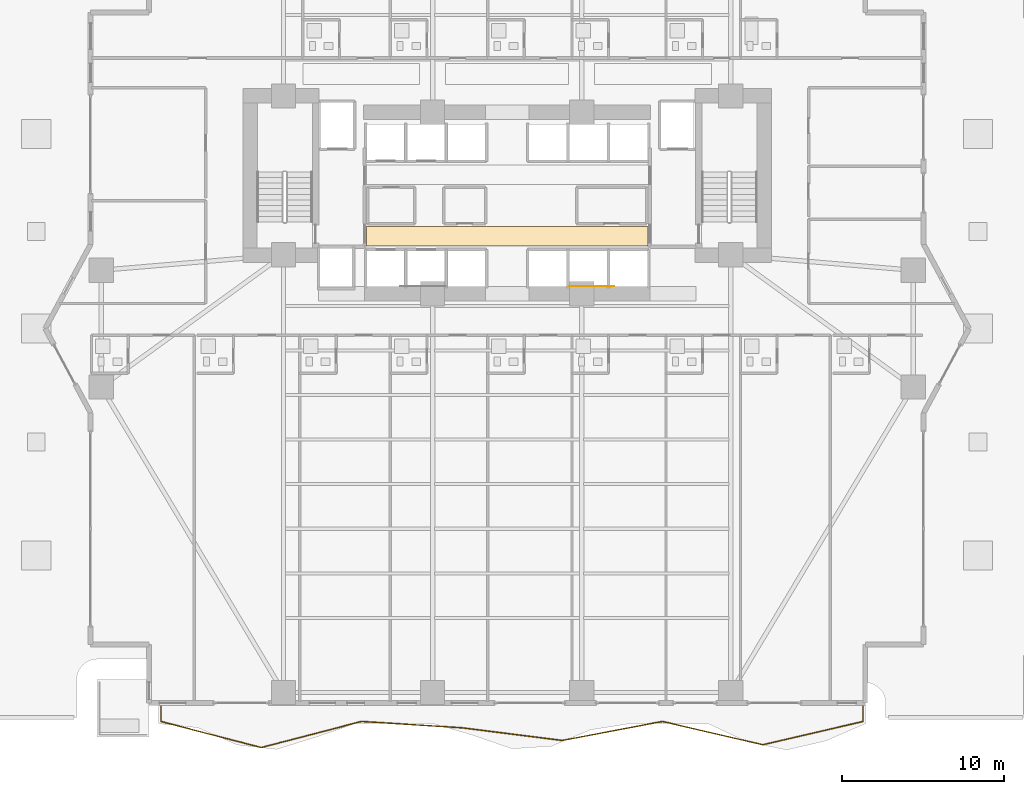
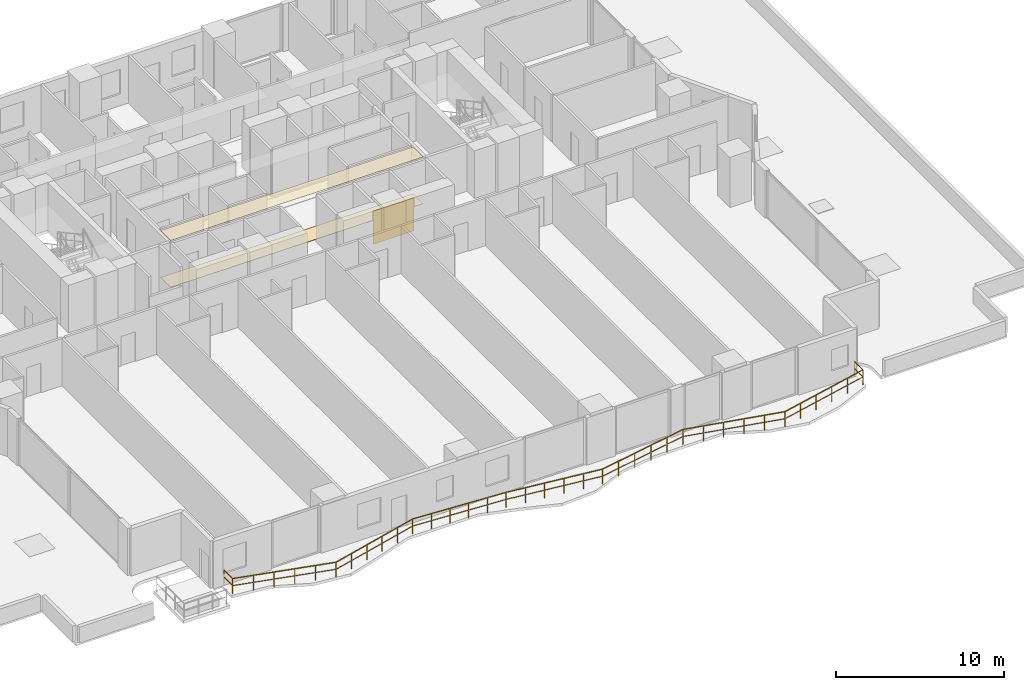
# One storey, part 27 of 30: 3 coverings, 1 railing.
"""IFC4 building model written with IfcOpenShell, lengths in metres."""

from ifc_helpers import new_model, si_unit, direction, frame, origin, origin_2d, place, context, subcontext, project, spatial, polyline, rectangle, outline, extrude, material, layer, layer_set, type_object, element, save


model = new_model("IFC4")

# Units and contexts
model_context = context("Model", 3, precision=1e-05, world=origin(), true_north=direction((0.0, 1.0)))
body_context = subcontext(model_context, "Body", "Model", "MODEL_VIEW")
ifc_project = project(units=[si_unit("LENGTHUNIT", "METRE"), si_unit("AREAUNIT", "SQUARE_METRE"), si_unit("VOLUMEUNIT", "CUBIC_METRE"), si_unit("PLANEANGLEUNIT", "RADIAN"), si_unit("MASSUNIT", "GRAM", prefix="KILO")], contexts=[model_context])

# Site, building, storey
site_placement = place(None, origin())
site = spatial("IfcSite", under=ifc_project, at=site_placement, CompositionType="ELEMENT")
building_placement = place(site_placement, origin())
building = spatial("IfcBuilding", under=site, at=building_placement, Name="Zuhayl Quay Hotel", CompositionType="ELEMENT")
storey_placement = place(building_placement, frame((0.0, 0.0, 27.60009765625)))
storey = spatial("IfcBuildingStorey", under=building, at=storey_placement, Name="L05", CompositionType="ELEMENT", Elevation=27.60009765625)

# Coverings
ifc_material_1 = material(Name="Acoustic Mineral-Fibre Gypsum Board")
ifc_layer_1 = layer(ifc_material_1, 0.02490234375, Name="Acoustic Mineral-Fibre Gypsum Board")
ifc_layer_set_1 = layer_set([ifc_layer_1], Name="Acoustic Mineral-Fibre Gypsum Board")
covering_type_1 = type_object("IfcCoveringType", Name="CV_CEIL_ACOUSTIC", PredefinedType="CEILING", material=ifc_layer_set_1)
covering_1_placement = place(storey_placement, frame((0.0, 0.0, 3.40478515625)))
element("IfcCovering", 1, at=covering_1_placement, inside=storey, type_object=covering_type_1, Name="L05 Suspended Acoustic Lobby Ceiling S", PredefinedType="CEILING", context=body_context, shape_type="SweptSolid", body=[
    extrude(outline(polyline([(-8.679931640625, 5.10009765625), (8.679931640625, 5.10009765625), (8.679931640625, 6.300048828125), (-8.679931640625, 6.300048828125), (-8.679931640625, 5.10009765625)])), origin(), (0.0, 0.0, 1.0), 0.025146484375),
])
ifc_material_2 = material(Name="Polished Limestone Terrazzo", Category="masonry")
ifc_layer_2 = layer(ifc_material_2, 0.02001953125, Name="Polished Limestone Terrazzo", Category="masonry")
ifc_layer_set_2 = layer_set([ifc_layer_2], Name="Polished Limestone Terrazzo")
covering_type_2 = type_object("IfcCoveringType", Name="CV_FLOOR_TERRAZZO", PredefinedType="FLOORING", material=ifc_layer_set_2)
covering_2_placement = place(storey_placement, origin())
element("IfcCovering", 2, at=covering_2_placement, inside=storey, type_object=covering_type_2, Name="L05 Honed Limestone Terrazzo Lobby Flooring S", PredefinedType="FLOORING", context=body_context, shape_type="SweptSolid", body=[
    extrude(outline(polyline([(-8.679931640625, 5.10009765625), (8.679931640625, 5.10009765625), (8.679931640625, 6.300048828125), (-8.679931640625, 6.300048828125), (-8.679931640625, 5.10009765625)])), origin(), (0.0, 0.0, 1.0), 0.02001953125),
])
ifc_material_3 = material(Name="Acoustic Walnut Feature Timber", Category="wood")
ifc_layer_3 = layer(ifc_material_3, 0.02197265625, Name="Acoustic Walnut Feature Timber", Category="wood")
ifc_layer_set_3 = layer_set([ifc_layer_3], Name="Acoustic Walnut Feature Timber")
covering_type_3 = type_object("IfcCoveringType", Name="CV_WALL_CLAD", PredefinedType="CLADDING", material=ifc_layer_set_3)
covering_3_placement = place(storey_placement, frame((5.199951171875, 2.611083984375, 0.300048828125), z_axis=(0.0, 0.0, 1.0), x_axis=(1.0, 0.0, 0.0)))
element("IfcCovering", 3, at=covering_3_placement, inside=storey, type_object=covering_type_3, Name="L05 Feature Lobby Walnut Wall Cladding E", PredefinedType="CLADDING", context=body_context, shape_type="SweptSolid", body=[
    extrude(rectangle(XDim=2.800048828125, YDim=0.02197265625, at=origin_2d()), origin(), (0.0, 0.0, 1.0), 2.39990234375),
])

# Railing
ifc_material_4 = material(Name="Anodised Aluminium and Laminated Glass", Category="aluminium")
railing_type = type_object("IfcRailingType", Name="RL_EXT_BAL_1100", PredefinedType="BALUSTRADE", material=ifc_material_4)
railing_placement = place(storey_placement, frame((-21.360107421875, -23.219970703125, 0.0)))
element("IfcRailing", 4, at=railing_placement, inside=storey, type_object=railing_type, Name="L05 Balcony and Terrace Guard GR_L05_BAL_S", PredefinedType="BALUSTRADE", context=body_context, shape_type="SweptSolid", body=[
    extrude(rectangle(XDim=0.048095703125, YDim=0.048095703125, at=origin_2d()), frame((0.0, 0.0, 1.09619140625), z_axis=(0.0, -1.0, 0.0), x_axis=(1.0, 0.0, 0.0)), (0.0, 0.0, 1.0), 1.02001953125),
    extrude(rectangle(XDim=0.0361328125, YDim=0.0361328125, at=origin_2d()), frame((0.0, 0.0, 0.58251953125), z_axis=(0.0, -1.0, 0.0), x_axis=(1.0, 0.0, 0.0)), (0.0, 0.0, 1.0), 1.02001953125),
    extrude(rectangle(XDim=0.048095703125, YDim=0.048095703125, at=origin_2d()), frame((0.0, -1.02001953125, 1.09619140625), z_axis=(0.967820089213, -0.251643149947, 0.0), x_axis=(0.251643149947, 0.967820089213, 0.0)), (0.0, 0.0, 1.0), 6.39453125),
    extrude(rectangle(XDim=0.0361328125, YDim=0.0361328125, at=origin_2d()), frame((0.0, -1.02001953125, 0.58251953125), z_axis=(0.967820089213, -0.251643149947, 0.0), x_axis=(0.251643149947, 0.967820089213, 0.0)), (0.0, 0.0, 1.0), 6.39453125),
    extrude(rectangle(XDim=0.048095703125, YDim=0.048095703125, at=origin_2d()), frame((6.188720703125, -2.629150390625, 1.09619140625), z_axis=(0.96781767137, 0.251652448793, 0.0), x_axis=(-0.251652448793, 0.96781767137, 0.0)), (0.0, 0.0, 1.0), 6.394287109375),
    extrude(rectangle(XDim=0.0361328125, YDim=0.0361328125, at=origin_2d()), frame((6.188720703125, -2.629150390625, 0.58251953125), z_axis=(0.96781767137, 0.251652448793, 0.0), x_axis=(-0.251652448793, 0.96781767137, 0.0)), (0.0, 0.0, 1.0), 6.394287109375),
    extrude(rectangle(XDim=0.048095703125, YDim=0.048095703125, at=origin_2d()), frame((12.377197265625, -1.02001953125, 1.09619140625), z_axis=(0.998028760698, -0.062758209182, 0.0), x_axis=(0.062758209182, 0.998028760698, 0.0)), (0.0, 0.0, 1.0), 6.200927734375),
    extrude(rectangle(XDim=0.0361328125, YDim=0.0361328125, at=origin_2d()), frame((12.377197265625, -1.02001953125, 0.58251953125), z_axis=(0.998028760698, -0.062758209182, 0.0), x_axis=(0.062758209182, 0.998028760698, 0.0)), (0.0, 0.0, 1.0), 6.200927734375),
    extrude(rectangle(XDim=0.048095703125, YDim=0.048095703125, at=origin_2d()), frame((18.56591796875, -1.4091796875, 1.09619140625), z_axis=(0.99210105431, -0.125441213471, 0.0), x_axis=(0.125441213471, 0.99210105431, 0.0)), (0.0, 0.0, 1.0), 6.23779296875),
    extrude(rectangle(XDim=0.0361328125, YDim=0.0361328125, at=origin_2d()), frame((18.56591796875, -1.4091796875, 0.58251953125), z_axis=(0.99210105431, -0.125441213471, 0.0), x_axis=(0.125441213471, 0.99210105431, 0.0)), (0.0, 0.0, 1.0), 6.23779296875),
    extrude(rectangle(XDim=0.048095703125, YDim=0.048095703125, at=origin_2d()), frame((24.75439453125, -2.191650390625, 1.09619140625), z_axis=(0.982547276943, 0.186013033337, 0.0), x_axis=(-0.186013033337, 0.982547276943, 0.0)), (0.0, 0.0, 1.0), 6.298583984375),
    extrude(rectangle(XDim=0.0361328125, YDim=0.0361328125, at=origin_2d()), frame((24.75439453125, -2.191650390625, 0.58251953125), z_axis=(0.982547276943, 0.186013033337, 0.0), x_axis=(-0.186013033337, 0.982547276943, 0.0)), (0.0, 0.0, 1.0), 6.298583984375),
    extrude(rectangle(XDim=0.048095703125, YDim=0.048095703125, at=origin_2d()), frame((30.943115234375, -1.02001953125, 1.09619140625), z_axis=(0.974083292085, -0.226189610905, 0.0), x_axis=(0.226189610905, 0.974083292085, 0.0)), (0.0, 0.0, 1.0), 6.35302734375),
    extrude(rectangle(XDim=0.0361328125, YDim=0.0361328125, at=origin_2d()), frame((30.943115234375, -1.02001953125, 0.58251953125), z_axis=(0.974083292085, -0.226189610905, 0.0), x_axis=(0.226189610905, 0.974083292085, 0.0)), (0.0, 0.0, 1.0), 6.35302734375),
    extrude(rectangle(XDim=0.048095703125, YDim=0.048095703125, at=origin_2d()), frame((37.131591796875, -2.45703125, 1.09619140625), z_axis=(0.974083292085, 0.226189610905, 0.0), x_axis=(-0.226189610905, 0.974083292085, 0.0)), (0.0, 0.0, 1.0), 6.35302734375),
    extrude(rectangle(XDim=0.0361328125, YDim=0.0361328125, at=origin_2d()), frame((37.131591796875, -2.45703125, 0.58251953125), z_axis=(0.974083292085, 0.226189610905, 0.0), x_axis=(-0.226189610905, 0.974083292085, 0.0)), (0.0, 0.0, 1.0), 6.35302734375),
    extrude(rectangle(XDim=0.048095703125, YDim=0.048095703125, at=origin_2d()), frame((43.320068359375, -1.02001953125, 1.09619140625), z_axis=(0.0, 1.0, 0.0), x_axis=(-1.0, 0.0, 0.0)), (0.0, 0.0, 1.0), 1.02001953125),
    extrude(rectangle(XDim=0.0361328125, YDim=0.0361328125, at=origin_2d()), frame((43.320068359375, -1.02001953125, 0.58251953125), z_axis=(0.0, 1.0, 0.0), x_axis=(-1.0, 0.0, 0.0)), (0.0, 0.0, 1.0), 1.02001953125),
    extrude(rectangle(XDim=0.0419921875, YDim=0.0419921875, at=origin_2d()), origin(), (0.0, 0.0, 1.0), 1.072021484375),
    extrude(rectangle(XDim=0.0419921875, YDim=0.0419921875, at=origin_2d()), frame((0.0, -1.02001953125, 0.0)), (0.0, 0.0, 1.0), 1.072021484375),
    extrude(rectangle(XDim=0.0419921875, YDim=0.0419921875, at=origin_2d()), frame((1.23779296875, -1.341796875, 0.0)), (0.0, 0.0, 1.0), 1.072021484375),
    extrude(rectangle(XDim=0.0419921875, YDim=0.0419921875, at=origin_2d()), frame((2.4755859375, -1.66357421875, 0.0)), (0.0, 0.0, 1.0), 1.072021484375),
    extrude(rectangle(XDim=0.0419921875, YDim=0.0419921875, at=origin_2d()), frame((3.713134765625, -1.985595703125, 0.0)), (0.0, 0.0, 1.0), 1.072021484375),
    extrude(rectangle(XDim=0.0419921875, YDim=0.0419921875, at=origin_2d()), frame((4.950927734375, -2.307373046875, 0.0)), (0.0, 0.0, 1.0), 1.072021484375),
    extrude(rectangle(XDim=0.0419921875, YDim=0.0419921875, at=origin_2d()), frame((6.188720703125, -2.629150390625, 0.0)), (0.0, 0.0, 1.0), 1.072021484375),
    extrude(rectangle(XDim=0.0419921875, YDim=0.0419921875, at=origin_2d()), frame((7.426513671875, -2.307373046875, 0.0)), (0.0, 0.0, 1.0), 1.072021484375),
    extrude(rectangle(XDim=0.0419921875, YDim=0.0419921875, at=origin_2d()), frame((8.6640625, -1.985595703125, 0.0)), (0.0, 0.0, 1.0), 1.072021484375),
    extrude(rectangle(XDim=0.0419921875, YDim=0.0419921875, at=origin_2d()), frame((9.90185546875, -1.66357421875, 0.0)), (0.0, 0.0, 1.0), 1.072021484375),
    extrude(rectangle(XDim=0.0419921875, YDim=0.0419921875, at=origin_2d()), frame((11.139404296875, -1.341796875, 0.0)), (0.0, 0.0, 1.0), 1.072021484375),
    extrude(rectangle(XDim=0.0419921875, YDim=0.0419921875, at=origin_2d()), frame((12.377197265625, -1.02001953125, 0.0)), (0.0, 0.0, 1.0), 1.072021484375),
    extrude(rectangle(XDim=0.0419921875, YDim=0.0419921875, at=origin_2d()), frame((13.614990234375, -1.097900390625, 0.0)), (0.0, 0.0, 1.0), 1.072021484375),
    extrude(rectangle(XDim=0.0419921875, YDim=0.0419921875, at=origin_2d()), frame((14.852783203125, -1.17578125, 0.0)), (0.0, 0.0, 1.0), 1.072021484375),
    extrude(rectangle(XDim=0.0419921875, YDim=0.0419921875, at=origin_2d()), frame((16.09033203125, -1.25341796875, 0.0)), (0.0, 0.0, 1.0), 1.072021484375),
    extrude(rectangle(XDim=0.0419921875, YDim=0.0419921875, at=origin_2d()), frame((17.328125, -1.331298828125, 0.0)), (0.0, 0.0, 1.0), 1.072021484375),
    extrude(rectangle(XDim=0.0419921875, YDim=0.0419921875, at=origin_2d()), frame((18.56591796875, -1.4091796875, 0.0)), (0.0, 0.0, 1.0), 1.072021484375),
    extrude(rectangle(XDim=0.0419921875, YDim=0.0419921875, at=origin_2d()), frame((19.8037109375, -1.565673828125, 0.0)), (0.0, 0.0, 1.0), 1.072021484375),
    extrude(rectangle(XDim=0.0419921875, YDim=0.0419921875, at=origin_2d()), frame((21.041259765625, -1.72216796875, 0.0)), (0.0, 0.0, 1.0), 1.072021484375),
    extrude(rectangle(XDim=0.0419921875, YDim=0.0419921875, at=origin_2d()), frame((22.279052734375, -1.878662109375, 0.0)), (0.0, 0.0, 1.0), 1.072021484375),
    extrude(rectangle(XDim=0.0419921875, YDim=0.0419921875, at=origin_2d()), frame((23.5166015625, -2.03515625, 0.0)), (0.0, 0.0, 1.0), 1.072021484375),
    extrude(rectangle(XDim=0.0419921875, YDim=0.0419921875, at=origin_2d()), frame((24.75439453125, -2.191650390625, 0.0)), (0.0, 0.0, 1.0), 1.072021484375),
    extrude(rectangle(XDim=0.0419921875, YDim=0.0419921875, at=origin_2d()), frame((25.9921875, -1.957275390625, 0.0)), (0.0, 0.0, 1.0), 1.072021484375),
    extrude(rectangle(XDim=0.0419921875, YDim=0.0419921875, at=origin_2d()), frame((27.22998046875, -1.722900390625, 0.0)), (0.0, 0.0, 1.0), 1.072021484375),
    extrude(rectangle(XDim=0.0419921875, YDim=0.0419921875, at=origin_2d()), frame((28.467529296875, -1.48876953125, 0.0)), (0.0, 0.0, 1.0), 1.072021484375),
    extrude(rectangle(XDim=0.0419921875, YDim=0.0419921875, at=origin_2d()), frame((29.705322265625, -1.25439453125, 0.0)), (0.0, 0.0, 1.0), 1.072021484375),
    extrude(rectangle(XDim=0.0419921875, YDim=0.0419921875, at=origin_2d()), frame((30.943115234375, -1.02001953125, 0.0)), (0.0, 0.0, 1.0), 1.072021484375),
    extrude(rectangle(XDim=0.0419921875, YDim=0.0419921875, at=origin_2d()), frame((32.180908203125, -1.307373046875, 0.0)), (0.0, 0.0, 1.0), 1.072021484375),
    extrude(rectangle(XDim=0.0419921875, YDim=0.0419921875, at=origin_2d()), frame((33.41845703125, -1.5947265625, 0.0)), (0.0, 0.0, 1.0), 1.072021484375),
    extrude(rectangle(XDim=0.0419921875, YDim=0.0419921875, at=origin_2d()), frame((34.65625, -1.88232421875, 0.0)), (0.0, 0.0, 1.0), 1.072021484375),
    extrude(rectangle(XDim=0.0419921875, YDim=0.0419921875, at=origin_2d()), frame((35.893798828125, -2.169677734375, 0.0)), (0.0, 0.0, 1.0), 1.072021484375),
    extrude(rectangle(XDim=0.0419921875, YDim=0.0419921875, at=origin_2d()), frame((37.131591796875, -2.45703125, 0.0)), (0.0, 0.0, 1.0), 1.072021484375),
    extrude(rectangle(XDim=0.0419921875, YDim=0.0419921875, at=origin_2d()), frame((38.369384765625, -2.169677734375, 0.0)), (0.0, 0.0, 1.0), 1.072021484375),
    extrude(rectangle(XDim=0.0419921875, YDim=0.0419921875, at=origin_2d()), frame((39.60693359375, -1.88232421875, 0.0)), (0.0, 0.0, 1.0), 1.072021484375),
    extrude(rectangle(XDim=0.0419921875, YDim=0.0419921875, at=origin_2d()), frame((40.8447265625, -1.5947265625, 0.0)), (0.0, 0.0, 1.0), 1.072021484375),
    extrude(rectangle(XDim=0.0419921875, YDim=0.0419921875, at=origin_2d()), frame((42.082275390625, -1.307373046875, 0.0)), (0.0, 0.0, 1.0), 1.072021484375),
    extrude(rectangle(XDim=0.0419921875, YDim=0.0419921875, at=origin_2d()), frame((43.320068359375, -1.02001953125, 0.0)), (0.0, 0.0, 1.0), 1.072021484375),
    extrude(rectangle(XDim=0.0419921875, YDim=0.0419921875, at=origin_2d()), frame((43.320068359375, 0.0, 0.0)), (0.0, 0.0, 1.0), 1.072021484375),
])

save(model, "model.ifc")
